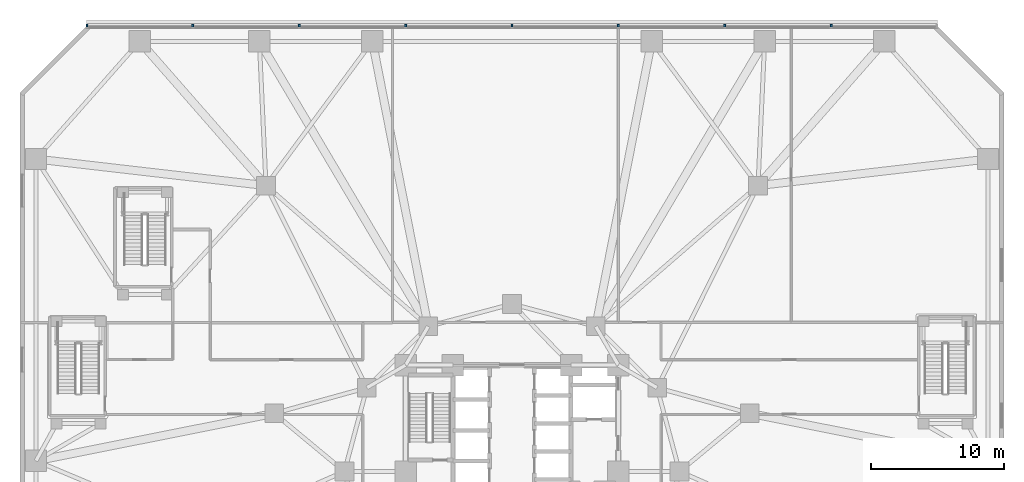
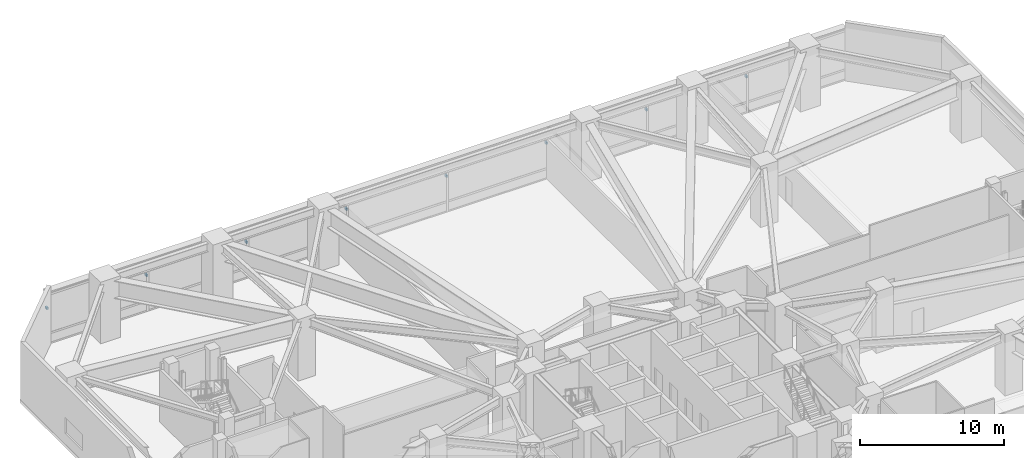
# One storey, part 21 of 28: 8 discrete accessories.
"""IFC4 building model written with IfcOpenShell, lengths in metres."""

import ifcopenshell
import ifcopenshell.guid

model = None  # the IFC model being written
_history = None  # IfcOwnerHistory: only IFC2X3 demands one
_inside = {}  # id of a spatial element -> (the spatial element, [elements in it])
_under = {}  # id of a project, library or spatial element -> (it, [spatial elements below it])
_declared = {}  # id of a project -> (the project, [libraries it declares])
_typed = {}  # id of a type object -> (the type object, [elements of that type])
_made_of = {}  # id of a material, layer set ... -> (it, [elements and type objects made of it])


def new_model(schema):
    """Start an empty IFC model of exactly this schema.

    Asked for "IFC4X3", IfcOpenShell would pick the latest addendum, in which some entities
    have other attributes; the version numbers below select the first issue.
    IFC2X3 requires an IfcOwnerHistory on every rooted entity: one is made here for all.
    """
    global model, _history
    if schema == "IFC4X3":
        model = ifcopenshell.file(schema_version=(4, 3, 0, 0))
    else:
        model = ifcopenshell.file(schema=schema)
    _inside.clear()
    _under.clear()
    _declared.clear()
    _typed.clear()
    _made_of.clear()
    _history = None
    if model.schema == "IFC2X3":
        org = make("IfcOrganization", Name="unknown")
        user = make(
            "IfcPersonAndOrganization",
            ThePerson=make("IfcPerson", FamilyName="unknown"),
            TheOrganization=org,
        )
        app = make(
            "IfcApplication",
            ApplicationDeveloper=org,
            Version="unknown",
            ApplicationFullName="unknown",
            ApplicationIdentifier="unknown",
        )
        _history = make(
            "IfcOwnerHistory",
            OwningUser=user,
            OwningApplication=app,
            ChangeAction="ADDED",
            CreationDate=0,
        )
    return model


def make(cls, **values):
    """One entity of the class cls with the attributes given. An attribute that is None is left unset."""
    return model.create_entity(
        cls, **{name: value for name, value in values.items() if value is not None}
    )


def rooted(cls, **values):
    """An entity with a GlobalId (a new one), such as an element, a storey or a relation."""
    return make(cls, GlobalId=ifcopenshell.guid.new(), OwnerHistory=_history, **values)


def si_unit(unit_type, name, prefix=None):
    """IfcSIUnit, for example si_unit("LENGTHUNIT", "METRE", prefix="MILLI")."""
    return make("IfcSIUnit", UnitType=unit_type, Prefix=prefix, Name=name)


def assignment(units):
    """IfcUnitAssignment: the units of a project."""
    return None if units is None else make("IfcUnitAssignment", Units=units)


def point(xyz):
    """IfcCartesianPoint."""
    return None if xyz is None else make("IfcCartesianPoint", Coordinates=xyz)


def direction(xyz):
    """IfcDirection."""
    return None if xyz is None else make("IfcDirection", DirectionRatios=xyz)


def frame(location, z_axis=None, x_axis=None):
    """IfcAxis2Placement3D, a coordinate frame: its origin and axes. An axis left out is left unset."""
    return make(
        "IfcAxis2Placement3D",
        Location=point(location),
        Axis=direction(z_axis),
        RefDirection=direction(x_axis),
    )


def frame_2d(location, x_axis=None):
    """IfcAxis2Placement2D, a coordinate frame in the plane: its origin and x axis."""
    return make(
        "IfcAxis2Placement2D", Location=point(location), RefDirection=direction(x_axis)
    )


def origin():
    """The frame at (0, 0, 0) with its axes left unset."""
    return frame((0.0, 0.0, 0.0))


def origin_2d():
    """The frame at (0, 0) in the plane with its x axis left unset."""
    return frame_2d((0.0, 0.0))


def place(relative_to, where):
    """IfcLocalPlacement: puts the frame where relative to a parent placement (None: the world)."""
    return make(
        "IfcLocalPlacement", PlacementRelTo=relative_to, RelativePlacement=where
    )


def context(
    kind, dimensions, precision=None, world=None, true_north=None, identifier=None
):
    """IfcGeometricRepresentationContext, for example the 3D "Model" context."""
    return make(
        "IfcGeometricRepresentationContext",
        ContextIdentifier=identifier,
        ContextType=kind,
        CoordinateSpaceDimension=dimensions,
        Precision=precision,
        WorldCoordinateSystem=world,
        TrueNorth=true_north,
    )


def subcontext(parent, identifier, kind, view, scale=None):
    """IfcGeometricRepresentationSubContext, for example "Body" below "Model"."""
    return make(
        "IfcGeometricRepresentationSubContext",
        ContextIdentifier=identifier,
        ContextType=kind,
        ParentContext=parent,
        TargetScale=scale,
        TargetView=view,
    )


def project(units=None, contexts=None):
    """IfcProject with its units and contexts."""
    return rooted(
        "IfcProject",
        Name="project",
        RepresentationContexts=contexts,
        UnitsInContext=assignment(units),
    )


def spatial(cls, under=None, at=None, **own):
    """A site, building, storey or space (cls), placed at a placement, below another one or the project."""
    s = rooted(cls, ObjectPlacement=at, **own)
    if under is not None:
        _under.setdefault(under.id(), (under, []))[1].append(s)
    return s


def profile(cls, at=None, kind="AREA", **sizes):
    """A parametric profile (cls). Its sizes go by their IFC names, for example OverallWidth=200.0."""
    return make(cls, ProfileType=kind, Position=at, **sizes)


def rectangle(**sizes):
    """IfcRectangleProfileDef."""
    return profile("IfcRectangleProfileDef", **sizes)


def extrude(swept, where, along, depth):
    """IfcExtrudedAreaSolid: the profile swept, set in the frame where, extruded along a direction by depth."""
    return make(
        "IfcExtrudedAreaSolid",
        SweptArea=swept,
        Position=where,
        ExtrudedDirection=direction(along),
        Depth=depth,
    )


def shape(context_of_items, identifier, shape_type, items):
    """IfcShapeRepresentation: the items that make up one representation, for example the "Body"."""
    return make(
        "IfcShapeRepresentation",
        ContextOfItems=context_of_items,
        RepresentationIdentifier=identifier,
        RepresentationType=shape_type,
        Items=items,
    )


def material(Name=None, Category=None):
    """IfcMaterial."""
    return make("IfcMaterial", Name=Name, Category=Category)


def made_of(thing, what):
    """Note that an element or type object is made of a material, layer set ...; save() writes the relation."""
    if what is not None:
        _made_of.setdefault(what.id(), (what, []))[1].append(thing)
    return thing


def type_object(cls, material=None, **own):
    """A type object (cls), such as IfcWallType, which elements share."""
    return made_of(rooted(cls, **own), material)


def element(
    cls,
    number,
    at=None,
    inside=None,
    cuts=None,
    type_object=None,
    material=None,
    context=None,
    identifier="Body",
    shape_type=None,
    held_by="IfcProductDefinitionShape",
    body=None,
    shapes=None,
    **own,
):
    """One element of the class cls, such as IfcWall. Its Tag is "e" and its number.

    at: its placement. inside: the storey or other place that contains it. cuts: it is an
    opening in that element (IfcRelVoidsElement). A single representation is given by context,
    identifier, shape_type and body (its items); several are given by shapes. held_by: the class
    of the entity that holds the representations. save() writes the other relations.
    """
    e = rooted(cls, Tag="e%d" % number, ObjectPlacement=at, **own)
    if body is not None:
        shapes = [shape(context, identifier, shape_type, body)]
    if shapes is not None:
        e.Representation = make(held_by, Representations=shapes)
    if inside is not None:
        _inside.setdefault(inside.id(), (inside, []))[1].append(e)
    if cuts is not None:
        rooted(
            "IfcRelVoidsElement", RelatingBuildingElement=cuts, RelatedOpeningElement=e
        )
    if type_object is not None:
        _typed.setdefault(type_object.id(), (type_object, []))[1].append(e)
    return made_of(e, material)


def aggregate(whole, parts):
    """IfcRelAggregates: a whole, such as a stair, and the parts it consists of."""
    return rooted("IfcRelAggregates", RelatingObject=whole, RelatedObjects=parts)


def save(model, path):
    """Write the relations noted so far, then the file.

    IfcRelAggregates (storeys below a building ...), IfcRelContainedInSpatialStructure (elements
    in a storey), IfcRelDefinesByType, IfcRelAssociatesMaterial and IfcRelDeclares: one each for
    every whole, place, type object, material and project.
    """
    for whole, parts in _under.values():
        aggregate(whole, parts)
    for where, things in _inside.values():
        rooted(
            "IfcRelContainedInSpatialStructure",
            RelatedElements=things,
            RelatingStructure=where,
        )
    for kind, things in _typed.values():
        rooted("IfcRelDefinesByType", RelatedObjects=things, RelatingType=kind)
    for what, things in _made_of.values():
        rooted("IfcRelAssociatesMaterial", RelatedObjects=things, RelatingMaterial=what)
    for by, libraries in _declared.values():
        rooted("IfcRelDeclares", RelatingContext=by, RelatedDefinitions=libraries)
    model.write(path)


model = new_model("IFC4")

# Units and contexts
model_context = context("Model", 3, precision=1e-05, world=origin(), true_north=direction((0.0, 1.0)))
body_context = subcontext(model_context, "Body", "Model", "MODEL_VIEW")
ifc_project = project(units=[si_unit("LENGTHUNIT", "METRE"), si_unit("AREAUNIT", "SQUARE_METRE"), si_unit("VOLUMEUNIT", "CUBIC_METRE"), si_unit("PLANEANGLEUNIT", "RADIAN"), si_unit("MASSUNIT", "GRAM", prefix="KILO")], contexts=[model_context])

# Site, building, storey
site_placement = place(None, origin())
site = spatial("IfcSite", under=ifc_project, at=site_placement, CompositionType="ELEMENT")
building_placement = place(site_placement, origin())
building = spatial("IfcBuilding", under=site, at=building_placement, Name="Terralouvre Media Tower", CompositionType="ELEMENT")
storey_placement = place(building_placement, frame((0.0, 0.0, 10.39990234375)))
storey = spatial("IfcBuildingStorey", under=building, at=storey_placement, Name="L02", CompositionType="ELEMENT", Elevation=10.39990234375)

# Discrete accessories
ifc_material = material(Name="Anodised extruded aluminium 6063-T6", Category="aluminium")
discrete_accessory_type = type_object("IfcDiscreteAccessoryType", Name="Mullion Stand-Off Baguette Fixing Bracket BK-01", PredefinedType="BRACKET", material=ifc_material)
for number, where, z_axis, x_axis, name in (
    (1, (24.0, 33.52001953125, 2.87451171875), (0.0, 0.0, 1.0), (-1.0, 0.0, 0.0), "CW-L02-F4 Baguette Outrigger Bracket 1.02"),
    (2, (16.0, 33.52001953125, 2.87451171875), (0.0, 0.0, 1.0), (-1.0, 0.0, 0.0), "CW-L02-F4 Baguette Outrigger Bracket 1.03"),
    (3, (8.0, 33.52001953125, 2.87451171875), (0.0, 0.0, 1.0), (-1.0, 0.0, 0.0), "CW-L02-F4 Baguette Outrigger Bracket 1.04"),
    (4, (0.0, 33.52001953125, 2.87451171875), (0.0, 0.0, 1.0), (-1.0, 0.0, 0.0), "CW-L02-F4 Baguette Outrigger Bracket 1.05"),
    (5, (-8.0, 33.52001953125, 2.87451171875), (0.0, 0.0, 1.0), (-1.0, 0.0, 0.0), "CW-L02-F4 Baguette Outrigger Bracket 1.06"),
    (6, (-16.0, 33.52001953125, 2.87451171875), (0.0, 0.0, 1.0), (-1.0, 0.0, 0.0), "CW-L02-F4 Baguette Outrigger Bracket 1.07"),
    (7, (-24.0, 33.52001953125, 2.87451171875), (0.0, 0.0, 1.0), (-1.0, 0.0, 0.0), "CW-L02-F4 Baguette Outrigger Bracket 1.08"),
    (8, (-31.96240234375, 33.52001953125, 2.87451171875), (0.0, 0.0, 1.0), (-1.0, 0.0, 0.0), "CW-L02-F4 Baguette Outrigger Bracket 1.09"),
):
    element("IfcDiscreteAccessory", number, at=place(storey_placement, frame(where, z_axis=z_axis, x_axis=x_axis)), inside=storey, type_object=discrete_accessory_type, Name=name, PredefinedType="BRACKET", context=body_context, shape_type="SweptSolid", body=[
        extrude(rectangle(XDim=0.139892578125, YDim=0.239990234375, at=origin_2d()), origin(), (0.0, 0.0, 1.0), 0.179931640625),
    ])

save(model, "model.ifc")
